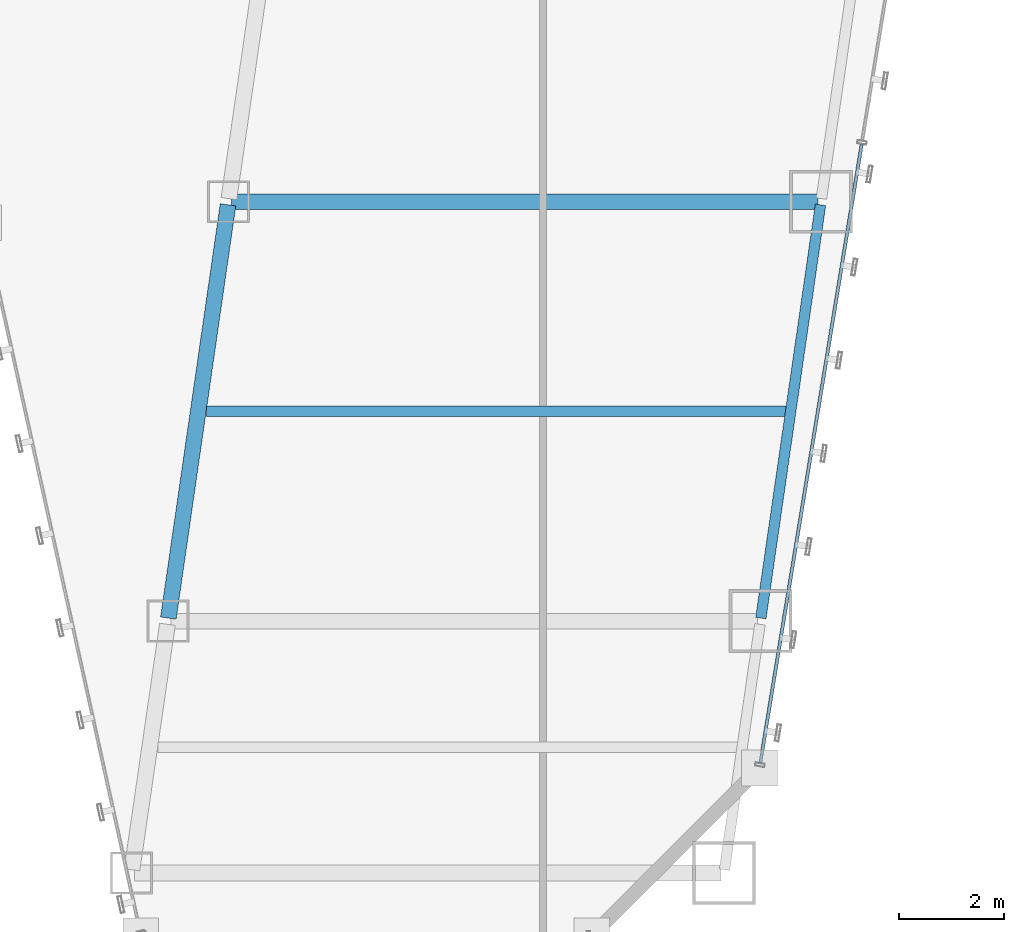
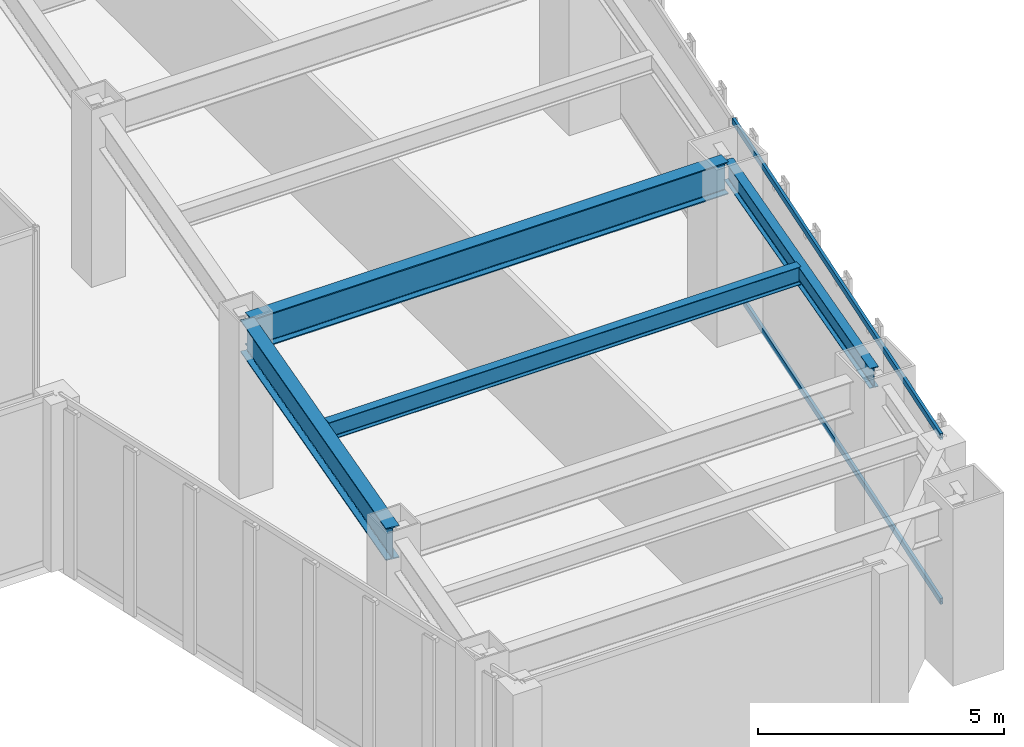
# One storey, part 16 of 47: 4 beams, 2 members, 1 element without a shape of its own.
"""IFC4 building model written with IfcOpenShell, lengths in metres."""

from ifc_helpers import new_model, si_unit, direction, frame, origin, origin_2d, place, context, subcontext, project, spatial, hollow_rectangle, i_section, extrude, material, material_profile, profile_set, type_object, element, aggregate, save


model = new_model("IFC4")

# Units and contexts
model_context = context("Model", 3, precision=1e-05, world=origin(), true_north=direction((0.0, 1.0)))
body_context = subcontext(model_context, "Body", "Model", "MODEL_VIEW")
ifc_project = project(units=[si_unit("LENGTHUNIT", "METRE"), si_unit("AREAUNIT", "SQUARE_METRE"), si_unit("VOLUMEUNIT", "CUBIC_METRE"), si_unit("PLANEANGLEUNIT", "RADIAN"), si_unit("MASSUNIT", "GRAM", prefix="KILO")], contexts=[model_context])

# Site, building, storey
site_placement = place(None, origin())
site = spatial("IfcSite", under=ifc_project, at=site_placement, CompositionType="ELEMENT")
building_placement = place(site_placement, origin())
building = spatial("IfcBuilding", under=site, at=building_placement, Name="Saevonmaru Cultural Tower", CompositionType="ELEMENT")
storey_placement = place(building_placement, frame((0.0, 0.0, 42.800048828125)))
storey = spatial("IfcBuildingStorey", under=building, at=storey_placement, Name="L08", CompositionType="ELEMENT", Elevation=42.800048828125)

# Beams
ifc_material_1 = material(Name="Steel SM420", Category="steel")
ifc_material_profile_1 = material_profile(ifc_material_1, i_section(OverallWidth=0.300048828125, OverallDepth=0.800048828125, WebThickness=0.013916015625, FlangeThickness=0.02587890625, FilletRadius=0.028076171875, at=origin_2d()), Name="H-800x300x14x26")
ifc_profile_set_1 = profile_set([ifc_material_profile_1], Name="Steel SM420")
beam_type_1 = type_object("IfcBeamType", Name="BM-G-H800", PredefinedType="BEAM", material=ifc_profile_set_1)
beam_1_placement = place(storey_placement, frame((36.925537109375, 8.059326171875, 3.75), z_axis=(0.142902032203, 0.989736838353, 0.0), x_axis=(-0.989736838353, 0.142902032203, 0.0)))
element("IfcBeam", 1, at=beam_1_placement, inside=storey, type_object=beam_type_1, Name="L08 East Atrium Girder 2", PredefinedType="BEAM", context=body_context, shape_type="SweptSolid", body=[
    extrude(i_section(OverallWidth=0.300048828125, OverallDepth=0.800048828125, WebThickness=0.013916015625, FlangeThickness=0.02587890625, FilletRadius=0.028076171875, at=origin_2d()), origin(), (0.0, 0.0, 1.0), 7.963134765625),
])
beam_2_placement = place(storey_placement, frame((38.132080078125, 16.0, 3.75), z_axis=(1.0, 0.0, 0.0), x_axis=(0.0, 1.0, 0.0)))
element("IfcBeam", 2, at=beam_2_placement, inside=storey, type_object=beam_type_1, Name="L08 East Wing Transverse Girder 3", PredefinedType="BEAM", context=body_context, shape_type="SweptSolid", body=[
    extrude(i_section(OverallWidth=0.300048828125, OverallDepth=0.800048828125, WebThickness=0.013916015625, FlangeThickness=0.02587890625, FilletRadius=0.028076171875, at=origin_2d()), origin(), (0.0, 0.0, 1.0), 11.179931640625),
])
ifc_material_2 = material(Name="Steel SM355", Category="steel")
ifc_material_profile_2 = material_profile(ifc_material_2, i_section(OverallWidth=0.199951171875, OverallDepth=0.449951171875, WebThickness=0.009033203125, FlangeThickness=0.013916015625, FilletRadius=0.01806640625, at=origin_2d()), Name="H-450x200x9x14")
ifc_profile_set_2 = profile_set([ifc_material_profile_2], Name="Steel SM355")
beam_type_2 = type_object("IfcBeamType", Name="BM-J-H450", PredefinedType="JOIST", material=ifc_profile_set_2)
beam_3_placement = place(storey_placement, frame((37.652587890625, 12.0, 3.925048828125), z_axis=(1.0, 0.0, 0.0), x_axis=(0.0, 1.0, 0.0)))
element("IfcBeam", 3, at=beam_3_placement, inside=storey, type_object=beam_type_2, Name="L08 East Wing Floor Joist 2", PredefinedType="JOIST", context=body_context, shape_type="SweptSolid", body=[
    extrude(i_section(OverallWidth=0.199951171875, OverallDepth=0.449951171875, WebThickness=0.009033203125, FlangeThickness=0.013916015625, FilletRadius=0.01806640625, at=origin_2d()), origin(), (0.0, 0.0, 1.0), 11.08203125),
])
ifc_material_profile_3 = material_profile(ifc_material_2, i_section(OverallWidth=0.199951171875, OverallDepth=0.5, WebThickness=0.010009765625, FlangeThickness=0.01611328125, FilletRadius=0.02001953125, at=origin_2d()), Name="H-500x200x10x16")
ifc_profile_set_3 = profile_set([ifc_material_profile_3], Name="Steel SM355")
beam_type_3 = type_object("IfcBeamType", Name="BM-SP-H500", PredefinedType="SPANDREL", material=ifc_profile_set_3)
beam_4_placement = place(storey_placement, frame((48.2255859375, 8.059326171875, 3.89990234375), z_axis=(0.142871999001, 0.989741174197, 0.0), x_axis=(-0.989741174197, 0.142871999001, 0.0)))
element("IfcBeam", 4, at=beam_4_placement, inside=storey, type_object=beam_type_3, Name="L08 East Splayed Spandrel 2", PredefinedType="SPANDREL", context=body_context, shape_type="SweptSolid", body=[
    extrude(i_section(OverallWidth=0.199951171875, OverallDepth=0.5, WebThickness=0.010009765625, FlangeThickness=0.01611328125, FilletRadius=0.02001953125, at=origin_2d()), origin(), (0.0, 0.0, 1.0), 7.963134765625),
])

# Curtain wall, members
ifc_material_3 = material(Name="Satin Bronze Anodised Aluminium", Category="aluminium")
curtain_wall_type = type_object("IfcCurtainWallType", Name="CW-TYP-A", PredefinedType="NOTDEFINED", material=ifc_material_3)
curtain_wall_placement = place(storey_placement, origin())
curtain_wall = element("IfcCurtainWall", 5, at=curtain_wall_placement, inside=storey, type_object=curtain_wall_type, Name="L08 Unitised Curtain Wall E8", PredefinedType="NOTDEFINED")
ifc_material_profile_4 = material_profile(ifc_material_3, hollow_rectangle(XDim=0.06494140625, YDim=0.14990234375, WallThickness=0.00390625, at=origin_2d()), Name="ALU-TRAN-150x65x4")
ifc_profile_set_4 = profile_set([ifc_material_profile_4], Name="Satin Bronze Anodised Aluminium")
member_type = type_object("IfcMemberType", Name="TR-CW-150x65", PredefinedType="USERDEFINED", material=ifc_profile_set_4)
member_1_placement = place(storey_placement, frame((48.21484375, 5.291259765625, 0.032470703125), z_axis=(0.161724530373, 0.986835941925, 0.0), x_axis=(-0.986835941925, 0.161724530373, 0.0)))
member_1 = element("IfcMember", 6, at=member_1_placement, type_object=member_type, Name="CW-TW-L08-E8 transom 1.1", ObjectType="TRANSOM", PredefinedType="USERDEFINED", context=body_context, shape_type="SweptSolid", body=[
    extrude(hollow_rectangle(XDim=0.06494140625, YDim=0.14990234375, WallThickness=0.00390625, at=origin_2d()), origin(), (0.0, 0.0, 1.0), 11.963623046875),
])
member_2_placement = place(storey_placement, frame((48.21484375, 5.291259765625, 4.117431640625), z_axis=(0.161724530373, 0.986835941925, 0.0), x_axis=(-0.986835941925, 0.161724530373, 0.0)))
member_2 = element("IfcMember", 7, at=member_2_placement, type_object=member_type, Name="CW-TW-L08-E8 transom 1.2", ObjectType="TRANSOM", PredefinedType="USERDEFINED", context=body_context, shape_type="SweptSolid", body=[
    extrude(hollow_rectangle(XDim=0.06494140625, YDim=0.14990234375, WallThickness=0.00390625, at=origin_2d()), origin(), (0.0, 0.0, 1.0), 11.963623046875),
])
aggregate(curtain_wall, [member_1, member_2])

save(model, "model.ifc")
